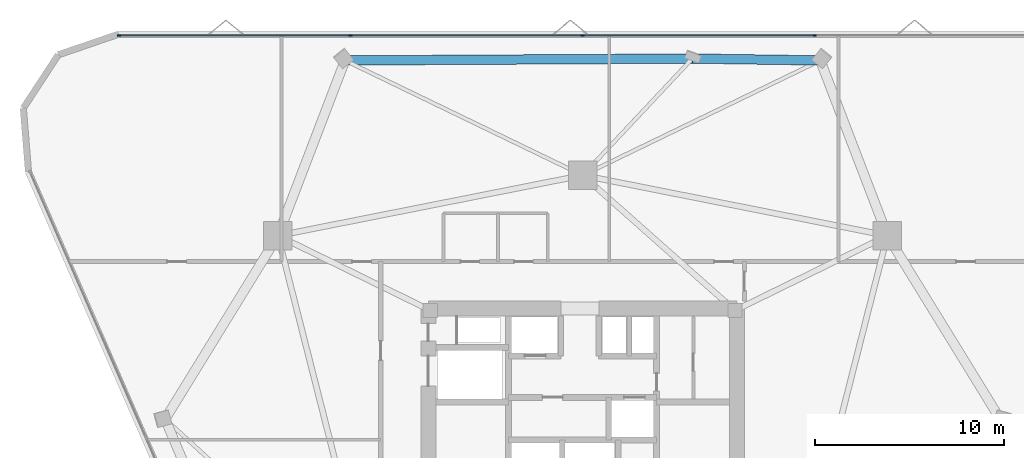
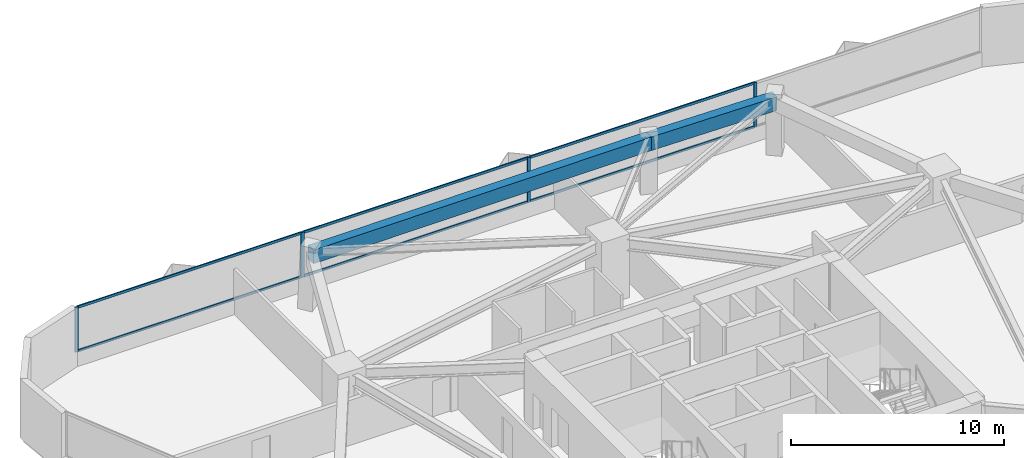
# One storey, part 8 of 14: 10 members, 2 beams, 1 element without a shape of its own.
"""IFC4 building model written with IfcOpenShell, lengths in metres."""

from ifc_helpers import new_model, si_unit, direction, frame, origin, origin_2d, place, context, subcontext, project, spatial, rectangle, extrude, material, layer, layer_set, material_profile, profile_set, type_object, element, aggregate, save


model = new_model("IFC4")

# Units and contexts
model_context = context("Model", 3, precision=1e-05, world=origin(), true_north=direction((0.0, 1.0)))
body_context = subcontext(model_context, "Body", "Model", "MODEL_VIEW")
ifc_project = project(units=[si_unit("LENGTHUNIT", "METRE"), si_unit("AREAUNIT", "SQUARE_METRE"), si_unit("VOLUMEUNIT", "CUBIC_METRE"), si_unit("PLANEANGLEUNIT", "RADIAN"), si_unit("MASSUNIT", "GRAM", prefix="KILO")], contexts=[model_context])

# Site, building, storey
site_placement = place(None, origin())
site = spatial("IfcSite", under=ifc_project, at=site_placement, CompositionType="ELEMENT")
building_placement = place(site_placement, origin())
building = spatial("IfcBuilding", under=site, at=building_placement, Name="Talyreon Biosciences Tower", CompositionType="ELEMENT")
storey_placement = place(building_placement, frame((0.0, 0.0, 130.85009765625)))
storey = spatial("IfcBuildingStorey", under=building, at=storey_placement, Name="L34", CompositionType="ELEMENT", Elevation=130.85009765625)

# Curtain wall, members
ifc_material_1 = material(Name="Thermally broken aluminium and low-E glazing", Category="aluminium")
ifc_layer = layer(ifc_material_1, 0.18505859375)
ifc_layer_set = layer_set([ifc_layer], Name="Thermally broken aluminium and low-E glazing")
curtain_wall_type = type_object("IfcCurtainWallType", Name="CurtainWall_Zone3Bioprocess", PredefinedType="NOTDEFINED", material=ifc_layer_set)
curtain_wall_placement = place(storey_placement, origin())
curtain_wall = element("IfcCurtainWall", 1, at=curtain_wall_placement, inside=storey, type_object=curtain_wall_type, Name="L34 Unitised Curtain Wall FCW-L34-04", PredefinedType="NOTDEFINED")
ifc_material_2 = material(Name="Anodised thermally broken aluminium", Category="aluminium")
ifc_material_profile_1 = material_profile(ifc_material_2, rectangle(XDim=0.06494140625, YDim=0.179931640625, at=origin_2d()), Name="ALUM MULLION 65x180")
ifc_profile_set_1 = profile_set([ifc_material_profile_1], Name="Anodised thermally broken aluminium")
member_type_1 = type_object("IfcMemberType", Name="CWMullion_65x180", PredefinedType="MULLION", material=ifc_profile_set_1)
member_1_placement = place(storey_placement, frame((41.509521484375, 89.173095703125, 0.809814453125), z_axis=(0.0, 0.0, 1.0), x_axis=(0.0, 1.0, 0.0)))
member_1 = element("IfcMember", 2, at=member_1_placement, type_object=member_type_1, Name="CW4 mullion 1", PredefinedType="MULLION", context=body_context, shape_type="SweptSolid", body=[
    extrude(rectangle(XDim=0.06494140625, YDim=0.179931640625, at=origin_2d()), origin(), (0.0, 0.0, 1.0), 2.565185546875),
])
member_2_placement = place(storey_placement, frame((53.738525390625, 89.173095703125, 0.809814453125), z_axis=(0.0, 0.0, 1.0), x_axis=(0.0, 1.0, 0.0)))
member_2 = element("IfcMember", 3, at=member_2_placement, type_object=member_type_1, Name="CW4 mullion 2", PredefinedType="MULLION", context=body_context, shape_type="SweptSolid", body=[
    extrude(rectangle(XDim=0.06494140625, YDim=0.179931640625, at=origin_2d()), origin(), (0.0, 0.0, 1.0), 2.565185546875),
])
member_3_placement = place(storey_placement, frame((66.0, 89.173095703125, 0.809814453125), z_axis=(0.0, 0.0, 1.0), x_axis=(0.0, 1.0, 0.0)))
member_3 = element("IfcMember", 4, at=member_3_placement, type_object=member_type_1, Name="CW4 mullion 3", PredefinedType="MULLION", context=body_context, shape_type="SweptSolid", body=[
    extrude(rectangle(XDim=0.06494140625, YDim=0.179931640625, at=origin_2d()), origin(), (0.0, 0.0, 1.0), 2.565185546875),
])
member_4_placement = place(storey_placement, frame((78.261474609375, 89.173095703125, 0.809814453125), z_axis=(0.0, 0.0, 1.0), x_axis=(0.0, 1.0, 0.0)))
member_4 = element("IfcMember", 5, at=member_4_placement, type_object=member_type_1, Name="CW4 mullion 4", PredefinedType="MULLION", context=body_context, shape_type="SweptSolid", body=[
    extrude(rectangle(XDim=0.06494140625, YDim=0.179931640625, at=origin_2d()), origin(), (0.0, 0.0, 1.0), 2.565185546875),
])
ifc_material_profile_2 = material_profile(ifc_material_2, rectangle(XDim=0.06494140625, YDim=0.139892578125, at=origin_2d()), Name="ALUM TRANSOM 65x140")
ifc_profile_set_2 = profile_set([ifc_material_profile_2], Name="Anodised thermally broken aluminium")
member_type_2 = type_object("IfcMemberType", Name="CWTransom_65x140", PredefinedType="USERDEFINED", material=ifc_profile_set_2)
member_5_placement = place(storey_placement, frame((41.5419921875, 89.173095703125, 0.84228515625), z_axis=(1.0, 0.0, 0.0), x_axis=(0.0, 1.0, 0.0)))
member_5 = element("IfcMember", 6, at=member_5_placement, type_object=member_type_2, Name="CW4 transom 1.1", ObjectType="TRANSOM", PredefinedType="USERDEFINED", context=body_context, shape_type="SweptSolid", body=[
    extrude(rectangle(XDim=0.06494140625, YDim=0.139892578125, at=origin_2d()), origin(), (0.0, 0.0, 1.0), 12.1640625),
])
member_6_placement = place(storey_placement, frame((41.5419921875, 89.173095703125, 3.34228515625), z_axis=(1.0, 0.0, 0.0), x_axis=(0.0, 1.0, 0.0)))
member_6 = element("IfcMember", 7, at=member_6_placement, type_object=member_type_2, Name="CW4 transom 1.2", ObjectType="TRANSOM", PredefinedType="USERDEFINED", context=body_context, shape_type="SweptSolid", body=[
    extrude(rectangle(XDim=0.06494140625, YDim=0.139892578125, at=origin_2d()), origin(), (0.0, 0.0, 1.0), 12.1640625),
])
member_7_placement = place(storey_placement, frame((53.77099609375, 89.173095703125, 0.84228515625), z_axis=(1.0, 0.0, 0.0), x_axis=(0.0, 1.0, 0.0)))
member_7 = element("IfcMember", 8, at=member_7_placement, type_object=member_type_2, Name="CW4 transom 2.1", ObjectType="TRANSOM", PredefinedType="USERDEFINED", context=body_context, shape_type="SweptSolid", body=[
    extrude(rectangle(XDim=0.06494140625, YDim=0.139892578125, at=origin_2d()), origin(), (0.0, 0.0, 1.0), 12.196533203125),
])
member_8_placement = place(storey_placement, frame((53.77099609375, 89.173095703125, 3.34228515625), z_axis=(1.0, 0.0, 0.0), x_axis=(0.0, 1.0, 0.0)))
member_8 = element("IfcMember", 9, at=member_8_placement, type_object=member_type_2, Name="CW4 transom 2.2", ObjectType="TRANSOM", PredefinedType="USERDEFINED", context=body_context, shape_type="SweptSolid", body=[
    extrude(rectangle(XDim=0.06494140625, YDim=0.139892578125, at=origin_2d()), origin(), (0.0, 0.0, 1.0), 12.196533203125),
])
member_9_placement = place(storey_placement, frame((66.032470703125, 89.173095703125, 0.84228515625), z_axis=(1.0, 0.0, 0.0), x_axis=(0.0, 1.0, 0.0)))
member_9 = element("IfcMember", 10, at=member_9_placement, type_object=member_type_2, Name="CW4 transom 3.1", ObjectType="TRANSOM", PredefinedType="USERDEFINED", context=body_context, shape_type="SweptSolid", body=[
    extrude(rectangle(XDim=0.06494140625, YDim=0.139892578125, at=origin_2d()), origin(), (0.0, 0.0, 1.0), 12.196533203125),
])
member_10_placement = place(storey_placement, frame((66.032470703125, 89.173095703125, 3.34228515625), z_axis=(1.0, 0.0, 0.0), x_axis=(0.0, 1.0, 0.0)))
member_10 = element("IfcMember", 11, at=member_10_placement, type_object=member_type_2, Name="CW4 transom 3.2", ObjectType="TRANSOM", PredefinedType="USERDEFINED", context=body_context, shape_type="SweptSolid", body=[
    extrude(rectangle(XDim=0.06494140625, YDim=0.139892578125, at=origin_2d()), origin(), (0.0, 0.0, 1.0), 12.196533203125),
])
aggregate(curtain_wall, [member_1, member_2, member_3, member_4, member_5, member_6, member_7, member_8, member_9, member_10])

# Beams
ifc_material_3 = material(Name="Precast concrete C45/55", Category="concrete")
ifc_material_profile_3 = material_profile(ifc_material_3, rectangle(XDim=0.5, YDim=0.780029296875, at=origin_2d()), Name="RCB 500x780")
ifc_profile_set_3 = profile_set([ifc_material_profile_3], Name="Precast concrete C45/55")
beam_type = type_object("IfcBeamType", Name="ExpressedSpandrel_500x780", PredefinedType="SPANDREL", material=ifc_profile_set_3)
beam_1_placement = place(storey_placement, frame((78.555908203125, 87.8583984375, 2.98486328125), z_axis=(-0.999890413343, 0.014804097554, 0.0), x_axis=(-0.014804097554, -0.999890413343, 0.0)))
element("IfcBeam", 12, at=beam_1_placement, inside=storey, type_object=beam_type, Name="L34 Expressed Horizontal Concrete Spandrel 06", PredefinedType="SPANDREL", context=body_context, shape_type="SweptSolid", body=[
    extrude(rectangle(XDim=0.5, YDim=0.780029296875, at=origin_2d()), origin(), (0.0, 0.0, 1.0), 6.761474609375),
])
beam_2_placement = place(storey_placement, frame((71.795166015625, 87.95849609375, 2.98486328125), z_axis=(-0.999985124035, -0.00545451269, 0.0), x_axis=(0.00545451269, -0.999985124035, 0.0)))
element("IfcBeam", 13, at=beam_2_placement, inside=storey, type_object=beam_type, Name="L34 Expressed Horizontal Concrete Spandrel 07", PredefinedType="SPANDREL", context=body_context, shape_type="SweptSolid", body=[
    extrude(rectangle(XDim=0.5, YDim=0.780029296875, at=origin_2d()), origin(), (0.0, 0.0, 1.0), 18.351318359375),
])

save(model, "model.ifc")
